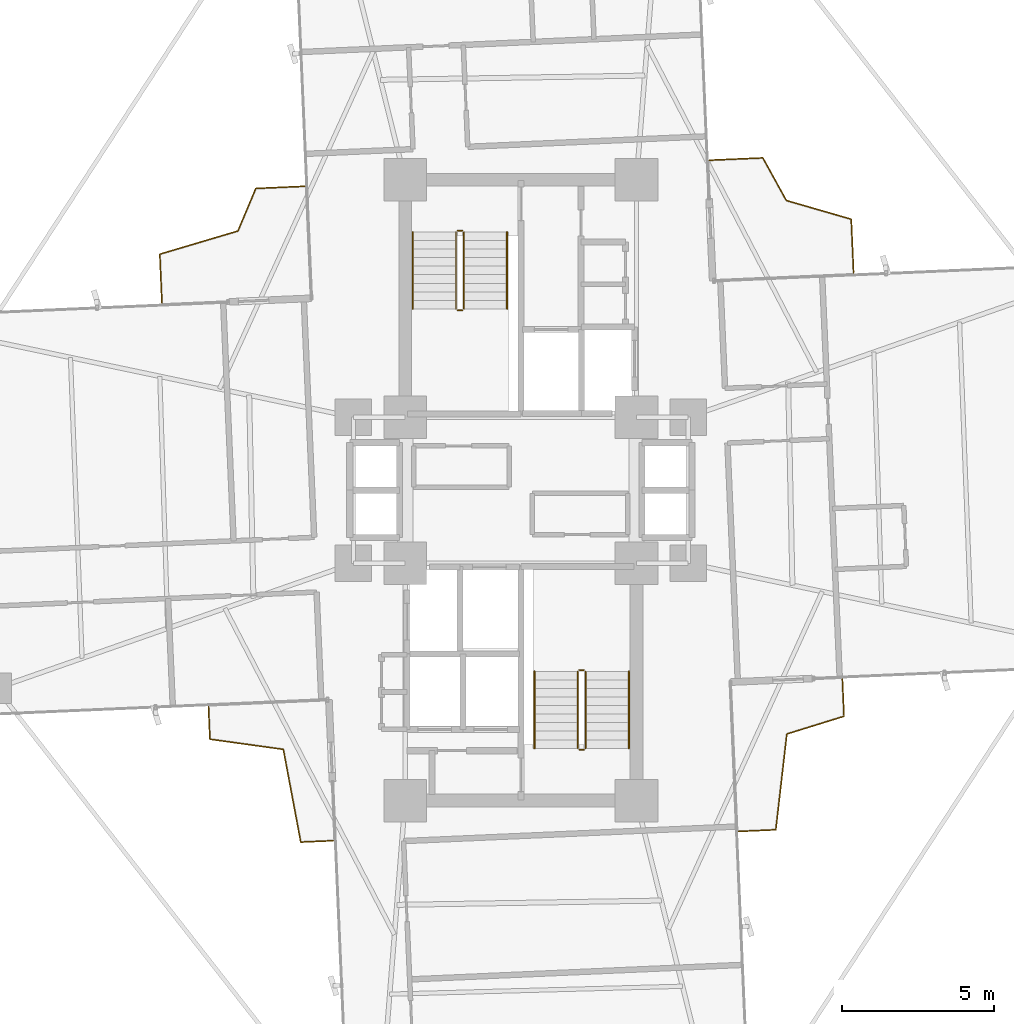
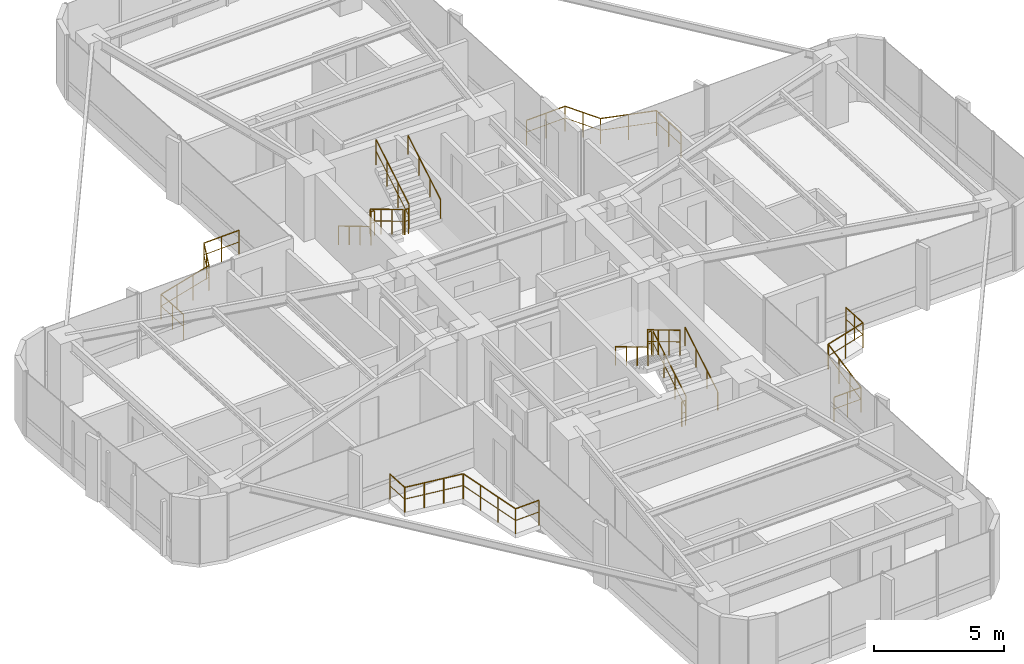
# One storey, part 26 of 26: 16 railings.
"""IFC4 building model written with IfcOpenShell, lengths in metres."""

import ifcopenshell
import ifcopenshell.guid

model = None  # the IFC model being written
_history = None  # IfcOwnerHistory: only IFC2X3 demands one
_inside = {}  # id of a spatial element -> (the spatial element, [elements in it])
_under = {}  # id of a project, library or spatial element -> (it, [spatial elements below it])
_declared = {}  # id of a project -> (the project, [libraries it declares])
_typed = {}  # id of a type object -> (the type object, [elements of that type])
_made_of = {}  # id of a material, layer set ... -> (it, [elements and type objects made of it])


def new_model(schema):
    """Start an empty IFC model of exactly this schema.

    Asked for "IFC4X3", IfcOpenShell would pick the latest addendum, in which some entities
    have other attributes; the version numbers below select the first issue.
    IFC2X3 requires an IfcOwnerHistory on every rooted entity: one is made here for all.
    """
    global model, _history
    if schema == "IFC4X3":
        model = ifcopenshell.file(schema_version=(4, 3, 0, 0))
    else:
        model = ifcopenshell.file(schema=schema)
    _inside.clear()
    _under.clear()
    _declared.clear()
    _typed.clear()
    _made_of.clear()
    _history = None
    if model.schema == "IFC2X3":
        org = make("IfcOrganization", Name="unknown")
        user = make(
            "IfcPersonAndOrganization",
            ThePerson=make("IfcPerson", FamilyName="unknown"),
            TheOrganization=org,
        )
        app = make(
            "IfcApplication",
            ApplicationDeveloper=org,
            Version="unknown",
            ApplicationFullName="unknown",
            ApplicationIdentifier="unknown",
        )
        _history = make(
            "IfcOwnerHistory",
            OwningUser=user,
            OwningApplication=app,
            ChangeAction="ADDED",
            CreationDate=0,
        )
    return model


def make(cls, **values):
    """One entity of the class cls with the attributes given. An attribute that is None is left unset."""
    return model.create_entity(
        cls, **{name: value for name, value in values.items() if value is not None}
    )


def rooted(cls, **values):
    """An entity with a GlobalId (a new one), such as an element, a storey or a relation."""
    return make(cls, GlobalId=ifcopenshell.guid.new(), OwnerHistory=_history, **values)


def si_unit(unit_type, name, prefix=None):
    """IfcSIUnit, for example si_unit("LENGTHUNIT", "METRE", prefix="MILLI")."""
    return make("IfcSIUnit", UnitType=unit_type, Prefix=prefix, Name=name)


def assignment(units):
    """IfcUnitAssignment: the units of a project."""
    return None if units is None else make("IfcUnitAssignment", Units=units)


def point(xyz):
    """IfcCartesianPoint."""
    return None if xyz is None else make("IfcCartesianPoint", Coordinates=xyz)


def direction(xyz):
    """IfcDirection."""
    return None if xyz is None else make("IfcDirection", DirectionRatios=xyz)


def frame(location, z_axis=None, x_axis=None):
    """IfcAxis2Placement3D, a coordinate frame: its origin and axes. An axis left out is left unset."""
    return make(
        "IfcAxis2Placement3D",
        Location=point(location),
        Axis=direction(z_axis),
        RefDirection=direction(x_axis),
    )


def frame_2d(location, x_axis=None):
    """IfcAxis2Placement2D, a coordinate frame in the plane: its origin and x axis."""
    return make(
        "IfcAxis2Placement2D", Location=point(location), RefDirection=direction(x_axis)
    )


def origin():
    """The frame at (0, 0, 0) with its axes left unset."""
    return frame((0.0, 0.0, 0.0))


def origin_2d():
    """The frame at (0, 0) in the plane with its x axis left unset."""
    return frame_2d((0.0, 0.0))


def place(relative_to, where):
    """IfcLocalPlacement: puts the frame where relative to a parent placement (None: the world)."""
    return make(
        "IfcLocalPlacement", PlacementRelTo=relative_to, RelativePlacement=where
    )


def context(
    kind, dimensions, precision=None, world=None, true_north=None, identifier=None
):
    """IfcGeometricRepresentationContext, for example the 3D "Model" context."""
    return make(
        "IfcGeometricRepresentationContext",
        ContextIdentifier=identifier,
        ContextType=kind,
        CoordinateSpaceDimension=dimensions,
        Precision=precision,
        WorldCoordinateSystem=world,
        TrueNorth=true_north,
    )


def subcontext(parent, identifier, kind, view, scale=None):
    """IfcGeometricRepresentationSubContext, for example "Body" below "Model"."""
    return make(
        "IfcGeometricRepresentationSubContext",
        ContextIdentifier=identifier,
        ContextType=kind,
        ParentContext=parent,
        TargetScale=scale,
        TargetView=view,
    )


def project(units=None, contexts=None):
    """IfcProject with its units and contexts."""
    return rooted(
        "IfcProject",
        Name="project",
        RepresentationContexts=contexts,
        UnitsInContext=assignment(units),
    )


def spatial(cls, under=None, at=None, **own):
    """A site, building, storey or space (cls), placed at a placement, below another one or the project."""
    s = rooted(cls, ObjectPlacement=at, **own)
    if under is not None:
        _under.setdefault(under.id(), (under, []))[1].append(s)
    return s


def profile(cls, at=None, kind="AREA", **sizes):
    """A parametric profile (cls). Its sizes go by their IFC names, for example OverallWidth=200.0."""
    return make(cls, ProfileType=kind, Position=at, **sizes)


def circle(**sizes):
    """IfcCircleProfileDef."""
    return profile("IfcCircleProfileDef", **sizes)


def extrude(swept, where, along, depth):
    """IfcExtrudedAreaSolid: the profile swept, set in the frame where, extruded along a direction by depth."""
    return make(
        "IfcExtrudedAreaSolid",
        SweptArea=swept,
        Position=where,
        ExtrudedDirection=direction(along),
        Depth=depth,
    )


def shape(context_of_items, identifier, shape_type, items):
    """IfcShapeRepresentation: the items that make up one representation, for example the "Body"."""
    return make(
        "IfcShapeRepresentation",
        ContextOfItems=context_of_items,
        RepresentationIdentifier=identifier,
        RepresentationType=shape_type,
        Items=items,
    )


def material(Name=None, Category=None):
    """IfcMaterial."""
    return make("IfcMaterial", Name=Name, Category=Category)


def made_of(thing, what):
    """Note that an element or type object is made of a material, layer set ...; save() writes the relation."""
    if what is not None:
        _made_of.setdefault(what.id(), (what, []))[1].append(thing)
    return thing


def type_object(cls, material=None, **own):
    """A type object (cls), such as IfcWallType, which elements share."""
    return made_of(rooted(cls, **own), material)


def element(
    cls,
    number,
    at=None,
    inside=None,
    cuts=None,
    type_object=None,
    material=None,
    context=None,
    identifier="Body",
    shape_type=None,
    held_by="IfcProductDefinitionShape",
    body=None,
    shapes=None,
    **own,
):
    """One element of the class cls, such as IfcWall. Its Tag is "e" and its number.

    at: its placement. inside: the storey or other place that contains it. cuts: it is an
    opening in that element (IfcRelVoidsElement). A single representation is given by context,
    identifier, shape_type and body (its items); several are given by shapes. held_by: the class
    of the entity that holds the representations. save() writes the other relations.
    """
    e = rooted(cls, Tag="e%d" % number, ObjectPlacement=at, **own)
    if body is not None:
        shapes = [shape(context, identifier, shape_type, body)]
    if shapes is not None:
        e.Representation = make(held_by, Representations=shapes)
    if inside is not None:
        _inside.setdefault(inside.id(), (inside, []))[1].append(e)
    if cuts is not None:
        rooted(
            "IfcRelVoidsElement", RelatingBuildingElement=cuts, RelatedOpeningElement=e
        )
    if type_object is not None:
        _typed.setdefault(type_object.id(), (type_object, []))[1].append(e)
    return made_of(e, material)


def aggregate(whole, parts):
    """IfcRelAggregates: a whole, such as a stair, and the parts it consists of."""
    return rooted("IfcRelAggregates", RelatingObject=whole, RelatedObjects=parts)


def save(model, path):
    """Write the relations noted so far, then the file.

    IfcRelAggregates (storeys below a building ...), IfcRelContainedInSpatialStructure (elements
    in a storey), IfcRelDefinesByType, IfcRelAssociatesMaterial and IfcRelDeclares: one each for
    every whole, place, type object, material and project.
    """
    for whole, parts in _under.values():
        aggregate(whole, parts)
    for where, things in _inside.values():
        rooted(
            "IfcRelContainedInSpatialStructure",
            RelatedElements=things,
            RelatingStructure=where,
        )
    for kind, things in _typed.values():
        rooted("IfcRelDefinesByType", RelatedObjects=things, RelatingType=kind)
    for what, things in _made_of.values():
        rooted("IfcRelAssociatesMaterial", RelatedObjects=things, RelatingMaterial=what)
    for by, libraries in _declared.values():
        rooted("IfcRelDeclares", RelatingContext=by, RelatedDefinitions=libraries)
    model.write(path)


model = new_model("IFC4")

# Units and contexts
model_context = context("Model", 3, precision=1e-05, world=origin(), true_north=direction((0.0, 1.0)))
body_context = subcontext(model_context, "Body", "Model", "MODEL_VIEW")
ifc_project = project(units=[si_unit("LENGTHUNIT", "METRE"), si_unit("AREAUNIT", "SQUARE_METRE"), si_unit("VOLUMEUNIT", "CUBIC_METRE"), si_unit("PLANEANGLEUNIT", "RADIAN"), si_unit("MASSUNIT", "GRAM", prefix="KILO")], contexts=[model_context])

# Site, building, storey
site_placement = place(None, origin())
site = spatial("IfcSite", under=ifc_project, at=site_placement, CompositionType="ELEMENT")
building_placement = place(site_placement, origin())
building = spatial("IfcBuilding", under=site, at=building_placement, Name="Sahyath Konkavel Grand Hotel", CompositionType="ELEMENT")
storey_placement = place(building_placement, frame((0.0, 0.0, 134.89990234375)))
storey = spatial("IfcBuildingStorey", under=building, at=storey_placement, Name="L37", CompositionType="ELEMENT", Elevation=134.89990234375)

# Railings
ifc_material_1 = material(Name="Anodised Bronze Aluminium", Category="aluminium")
railing_type_1 = type_object("IfcRailingType", Name="RLG-BALC-1200", PredefinedType="GUARDRAIL", material=ifc_material_1)
railing_1_placement = place(storey_placement, frame((10.935791015625, 7.143798828125, 0.0)))
element("IfcRailing", 1, at=railing_1_placement, inside=storey, type_object=railing_type_1, Name="L37 Winter-Garden Guard NE", PredefinedType="GUARDRAIL", context=body_context, shape_type="SweptSolid", body=[
    extrude(circle(Radius=0.02392578125, at=origin_2d()), frame((0.0, 0.001953125, 1.17578125), z_axis=(-0.043617493533, 0.999048304267, 0.0), x_axis=(-0.999048304267, -0.043617493533, 0.0)), (0.0, 0.0, 1.0), 1.759033203125),
    extrude(circle(Radius=0.01416015625, at=origin_2d()), frame((0.0, 0.001953125, 0.6240234375), z_axis=(-0.043617493533, 0.999048304267, 0.0), x_axis=(-0.999048304267, -0.043617493533, 0.0)), (0.0, 0.0, 1.0), 1.759033203125),
    extrude(circle(Radius=0.02392578125, at=origin_2d()), frame((-0.078857421875, 1.761962890625, 1.17578125), z_axis=(-0.96074023182, 0.277449467404, 0.0), x_axis=(-0.277449467404, -0.96074023182, 0.0)), (0.0, 0.0, 1.0), 2.217041015625),
    extrude(circle(Radius=0.01416015625, at=origin_2d()), frame((-0.078857421875, 1.761962890625, 0.6240234375), z_axis=(-0.96074023182, 0.277449467404, 0.0), x_axis=(-0.277449467404, -0.96074023182, 0.0)), (0.0, 0.0, 1.0), 2.217041015625),
    extrude(circle(Radius=0.02392578125, at=origin_2d()), frame((-2.211669921875, 2.37939453125, 1.17578125), z_axis=(-0.482564073115, 0.875860671191, 0.0), x_axis=(-0.875860671191, -0.482564073115, 0.0)), (0.0, 0.0, 1.0), 1.59326171875),
    extrude(circle(Radius=0.01416015625, at=origin_2d()), frame((-2.211669921875, 2.37939453125, 0.6240234375), z_axis=(-0.482564073115, 0.875860671191, 0.0), x_axis=(-0.875860671191, -0.482564073115, 0.0)), (0.0, 0.0, 1.0), 1.59326171875),
    extrude(circle(Radius=0.02392578125, at=origin_2d()), frame((-2.9833984375, 3.776611328125, 1.17578125), z_axis=(-0.999048304267, -0.043617493533, 0.0), x_axis=(0.043617493533, -0.999048304267, 0.0)), (0.0, 0.0, 1.0), 1.759033203125),
    extrude(circle(Radius=0.01416015625, at=origin_2d()), frame((-2.9833984375, 3.776611328125, 0.6240234375), z_axis=(-0.999048304267, -0.043617493533, 0.0), x_axis=(0.043617493533, -0.999048304267, 0.0)), (0.0, 0.0, 1.0), 1.759033203125),
    extrude(circle(Radius=0.02099609375, at=origin_2d()), origin(), (0.0, 0.0, 1.0), 1.15185546875),
    extrude(circle(Radius=0.02099609375, at=origin_2d()), frame((-0.03857421875, 0.880859375, 0.0)), (0.0, 0.0, 1.0), 1.15185546875),
    extrude(circle(Radius=0.02099609375, at=origin_2d()), frame((-0.076904296875, 1.761474609375, 0.0)), (0.0, 0.0, 1.0), 1.15185546875),
    extrude(circle(Radius=0.02099609375, at=origin_2d()), frame((-1.143798828125, 2.069580078125, 0.0)), (0.0, 0.0, 1.0), 1.15185546875),
    extrude(circle(Radius=0.02099609375, at=origin_2d()), frame((-2.210693359375, 2.377685546875, 0.0)), (0.0, 0.0, 1.0), 1.15185546875),
    extrude(circle(Radius=0.02099609375, at=origin_2d()), frame((-2.59619140625, 3.0771484375, 0.0)), (0.0, 0.0, 1.0), 1.15185546875),
    extrude(circle(Radius=0.02099609375, at=origin_2d()), frame((-2.9814453125, 3.776611328125, 0.0)), (0.0, 0.0, 1.0), 1.15185546875),
    extrude(circle(Radius=0.02099609375, at=origin_2d()), frame((-3.8623046875, 3.73828125, 0.0)), (0.0, 0.0, 1.0), 1.15185546875),
    extrude(circle(Radius=0.02099609375, at=origin_2d()), frame((-4.742919921875, 3.69970703125, 0.0)), (0.0, 0.0, 1.0), 1.15185546875),
])
railing_2_placement = place(storey_placement, frame((-7.102294921875, 9.98681640625, 0.0)))
element("IfcRailing", 2, at=railing_2_placement, inside=storey, type_object=railing_type_1, Name="L37 Winter-Garden Guard NW", PredefinedType="GUARDRAIL", context=body_context, shape_type="SweptSolid", body=[
    extrude(circle(Radius=0.02392578125, at=origin_2d()), frame((-0.001953125, 0.0, 1.17578125), z_axis=(-0.999042058312, -0.043760321337, 0.0), x_axis=(0.043760321337, -0.999042058312, 0.0)), (0.0, 0.0, 1.0), 1.602783203125),
    extrude(circle(Radius=0.01416015625, at=origin_2d()), frame((-0.001953125, 0.0, 0.6240234375), z_axis=(-0.999042058312, -0.043760321337, 0.0), x_axis=(0.043760321337, -0.999042058312, 0.0)), (0.0, 0.0, 1.0), 1.602783203125),
    extrude(circle(Radius=0.02392578125, at=origin_2d()), frame((-1.60595703125, -0.072265625, 1.17578125), z_axis=(-0.387423947002, -0.921901667907, 0.0), x_axis=(0.921901667907, -0.387423947002, 0.0)), (0.0, 0.0, 1.0), 1.513427734375),
    extrude(circle(Radius=0.01416015625, at=origin_2d()), frame((-1.60595703125, -0.072265625, 0.6240234375), z_axis=(-0.387423947002, -0.921901667907, 0.0), x_axis=(0.921901667907, -0.387423947002, 0.0)), (0.0, 0.0, 1.0), 1.513427734375),
    extrude(circle(Radius=0.02392578125, at=origin_2d()), frame((-2.195068359375, -1.4697265625, 1.17578125), z_axis=(-0.958762230796, -0.28420940308, 0.0), x_axis=(0.28420940308, -0.958762230796, 0.0)), (0.0, 0.0, 1.0), 2.673583984375),
    extrude(circle(Radius=0.01416015625, at=origin_2d()), frame((-2.195068359375, -1.4697265625, 0.6240234375), z_axis=(-0.958762230796, -0.28420940308, 0.0), x_axis=(0.28420940308, -0.958762230796, 0.0)), (0.0, 0.0, 1.0), 2.673583984375),
    extrude(circle(Radius=0.02392578125, at=origin_2d()), frame((-4.76025390625, -2.232177734375, 1.17578125), z_axis=(0.043615286125, -0.999048400637, 0.0), x_axis=(0.999048400637, 0.043615286125, 0.0)), (0.0, 0.0, 1.0), 1.6025390625),
    extrude(circle(Radius=0.01416015625, at=origin_2d()), frame((-4.76025390625, -2.232177734375, 0.6240234375), z_axis=(0.043615286125, -0.999048400637, 0.0), x_axis=(0.999048400637, 0.043615286125, 0.0)), (0.0, 0.0, 1.0), 1.6025390625),
    extrude(circle(Radius=0.02099609375, at=origin_2d()), origin(), (0.0, 0.0, 1.0), 1.15185546875),
    extrude(circle(Radius=0.02099609375, at=origin_2d()), frame((-0.802734375, -0.03515625, 0.0)), (0.0, 0.0, 1.0), 1.15185546875),
    extrude(circle(Radius=0.02099609375, at=origin_2d()), frame((-1.605224609375, -0.0703125, 0.0)), (0.0, 0.0, 1.0), 1.15185546875),
    extrude(circle(Radius=0.02099609375, at=origin_2d()), frame((-1.899169921875, -0.769775390625, 0.0)), (0.0, 0.0, 1.0), 1.15185546875),
    extrude(circle(Radius=0.02099609375, at=origin_2d()), frame((-2.193115234375, -1.46923828125, 0.0)), (0.0, 0.0, 1.0), 1.15185546875),
    extrude(circle(Radius=0.02099609375, at=origin_2d()), frame((-3.048828125, -1.722900390625, 0.0)), (0.0, 0.0, 1.0), 1.15185546875),
    extrude(circle(Radius=0.02099609375, at=origin_2d()), frame((-3.904541015625, -1.9765625, 0.0)), (0.0, 0.0, 1.0), 1.15185546875),
    extrude(circle(Radius=0.02099609375, at=origin_2d()), frame((-4.76025390625, -2.230224609375, 0.0)), (0.0, 0.0, 1.0), 1.15185546875),
    extrude(circle(Radius=0.02099609375, at=origin_2d()), frame((-4.72509765625, -3.03271484375, 0.0)), (0.0, 0.0, 1.0), 1.15185546875),
    extrude(circle(Radius=0.02099609375, at=origin_2d()), frame((-4.690185546875, -3.835205078125, 0.0)), (0.0, 0.0, 1.0), 1.15185546875),
])
railing_3_placement = place(storey_placement, frame((-10.262451171875, -7.114501953125, 0.0)))
element("IfcRailing", 3, at=railing_3_placement, inside=storey, type_object=railing_type_1, Name="L37 Winter-Garden Guard SW", PredefinedType="GUARDRAIL", context=body_context, shape_type="SweptSolid", body=[
    extrude(circle(Radius=0.02392578125, at=origin_2d()), frame((0.0, -0.001953125, 1.17578125), z_axis=(0.043625550736, -0.999047952464, 0.0), x_axis=(0.999047952464, 0.043625550736, 0.0)), (0.0, 0.0, 1.0), 1.06494140625),
    extrude(circle(Radius=0.01416015625, at=origin_2d()), frame((0.0, -0.001953125, 0.6240234375), z_axis=(0.043625550736, -0.999047952464, 0.0), x_axis=(0.999047952464, 0.043625550736, 0.0)), (0.0, 0.0, 1.0), 1.06494140625),
    extrude(circle(Radius=0.02392578125, at=origin_2d()), frame((0.048583984375, -1.068115234375, 1.17578125), z_axis=(0.9905343524, -0.13726506007, 0.0), x_axis=(0.13726506007, 0.9905343524, 0.0)), (0.0, 0.0, 1.0), 2.430908203125),
    extrude(circle(Radius=0.01416015625, at=origin_2d()), frame((0.048583984375, -1.068115234375, 0.6240234375), z_axis=(0.9905343524, -0.13726506007, 0.0), x_axis=(0.13726506007, 0.9905343524, 0.0)), (0.0, 0.0, 1.0), 2.430908203125),
    extrude(circle(Radius=0.02392578125, at=origin_2d()), frame((2.458984375, -1.404052734375, 1.17578125), z_axis=(0.184668898915, -0.982800792518, 0.0), x_axis=(0.982800792518, 0.184668898915, 0.0)), (0.0, 0.0, 1.0), 3.09619140625),
    extrude(circle(Radius=0.01416015625, at=origin_2d()), frame((2.458984375, -1.404052734375, 0.6240234375), z_axis=(0.184668898915, -0.982800792518, 0.0), x_axis=(0.982800792518, 0.184668898915, 0.0)), (0.0, 0.0, 1.0), 3.09619140625),
    extrude(circle(Radius=0.02392578125, at=origin_2d()), frame((3.032958984375, -4.448974609375, 1.17578125), z_axis=(0.999047952464, 0.043625550736, 0.0), x_axis=(-0.043625550736, 0.999047952464, 0.0)), (0.0, 0.0, 1.0), 1.06494140625),
    extrude(circle(Radius=0.01416015625, at=origin_2d()), frame((3.032958984375, -4.448974609375, 0.6240234375), z_axis=(0.999047952464, 0.043625550736, 0.0), x_axis=(-0.043625550736, 0.999047952464, 0.0)), (0.0, 0.0, 1.0), 1.06494140625),
    extrude(circle(Radius=0.02099609375, at=origin_2d()), origin(), (0.0, 0.0, 1.0), 1.15185546875),
    extrude(circle(Radius=0.02099609375, at=origin_2d()), frame((0.046630859375, -1.06787109375, 0.0)), (0.0, 0.0, 1.0), 1.15185546875),
    extrude(circle(Radius=0.02099609375, at=origin_2d()), frame((0.8505859375, -1.17919921875, 0.0)), (0.0, 0.0, 1.0), 1.15185546875),
    extrude(circle(Radius=0.02099609375, at=origin_2d()), frame((1.654541015625, -1.290771484375, 0.0)), (0.0, 0.0, 1.0), 1.15185546875),
    extrude(circle(Radius=0.02099609375, at=origin_2d()), frame((2.45849609375, -1.402099609375, 0.0)), (0.0, 0.0, 1.0), 1.15185546875),
    extrude(circle(Radius=0.02099609375, at=origin_2d()), frame((2.6494140625, -2.417724609375, 0.0)), (0.0, 0.0, 1.0), 1.15185546875),
    extrude(circle(Radius=0.02099609375, at=origin_2d()), frame((2.840087890625, -3.433349609375, 0.0)), (0.0, 0.0, 1.0), 1.15185546875),
    extrude(circle(Radius=0.02099609375, at=origin_2d()), frame((3.031005859375, -4.448974609375, 0.0)), (0.0, 0.0, 1.0), 1.15185546875),
    extrude(circle(Radius=0.02099609375, at=origin_2d()), frame((4.098876953125, -4.40234375, 0.0)), (0.0, 0.0, 1.0), 1.15185546875),
])
railing_4_placement = place(storey_placement, frame((7.156005859375, -11.211669921875, 0.0)))
element("IfcRailing", 4, at=railing_4_placement, inside=storey, type_object=railing_type_1, Name="L37 Winter-Garden Guard SE", PredefinedType="GUARDRAIL", context=body_context, shape_type="SweptSolid", body=[
    extrude(circle(Radius=0.02392578125, at=origin_2d()), frame((0.001953125, 0.0, 1.17578125), z_axis=(0.999047112283, 0.043644787072, 0.0), x_axis=(-0.043644787072, 0.999047112283, 0.0)), (0.0, 0.0, 1.0), 1.220947265625),
    extrude(circle(Radius=0.01416015625, at=origin_2d()), frame((0.001953125, 0.0, 0.6240234375), z_axis=(0.999047112283, 0.043644787072, 0.0), x_axis=(-0.043644787072, 0.999047112283, 0.0)), (0.0, 0.0, 1.0), 1.220947265625),
    extrude(circle(Radius=0.02392578125, at=origin_2d()), frame((1.22412109375, 0.055419921875, 1.17578125), z_axis=(0.114600706163, 0.993411635802, 0.0), x_axis=(-0.993411635802, 0.114600706163, 0.0)), (0.0, 0.0, 1.0), 3.163818359375),
    extrude(circle(Radius=0.01416015625, at=origin_2d()), frame((1.22412109375, 0.055419921875, 0.6240234375), z_axis=(0.114600706163, 0.993411635802, 0.0), x_axis=(-0.993411635802, 0.114600706163, 0.0)), (0.0, 0.0, 1.0), 3.163818359375),
    extrude(circle(Radius=0.02392578125, at=origin_2d()), frame((1.5888671875, 3.200927734375, 1.17578125), z_axis=(0.955151356495, 0.296118027459, 0.0), x_axis=(-0.296118027459, 0.955151356495, 0.0)), (0.0, 0.0, 1.0), 1.96240234375),
    extrude(circle(Radius=0.01416015625, at=origin_2d()), frame((1.5888671875, 3.200927734375, 0.6240234375), z_axis=(0.955151356495, 0.296118027459, 0.0), x_axis=(-0.296118027459, 0.955151356495, 0.0)), (0.0, 0.0, 1.0), 1.96240234375),
    extrude(circle(Radius=0.02392578125, at=origin_2d()), frame((3.465087890625, 3.78466796875, 1.17578125), z_axis=(-0.043636099063, 0.999047491793, 0.0), x_axis=(-0.999047491793, -0.043636099063, 0.0)), (0.0, 0.0, 1.0), 1.22119140625),
    extrude(circle(Radius=0.01416015625, at=origin_2d()), frame((3.465087890625, 3.78466796875, 0.6240234375), z_axis=(-0.043636099063, 0.999047491793, 0.0), x_axis=(-0.999047491793, -0.043636099063, 0.0)), (0.0, 0.0, 1.0), 1.22119140625),
    extrude(circle(Radius=0.02099609375, at=origin_2d()), origin(), (0.0, 0.0, 1.0), 1.15185546875),
    extrude(circle(Radius=0.02099609375, at=origin_2d()), frame((0.61181640625, 0.02685546875, 0.0)), (0.0, 0.0, 1.0), 1.15185546875),
    extrude(circle(Radius=0.02099609375, at=origin_2d()), frame((1.223876953125, 0.053466796875, 0.0)), (0.0, 0.0, 1.0), 1.15185546875),
    extrude(circle(Radius=0.02099609375, at=origin_2d()), frame((1.344970703125, 1.1025390625, 0.0)), (0.0, 0.0, 1.0), 1.15185546875),
    extrude(circle(Radius=0.02099609375, at=origin_2d()), frame((1.4658203125, 2.1513671875, 0.0)), (0.0, 0.0, 1.0), 1.15185546875),
    extrude(circle(Radius=0.02099609375, at=origin_2d()), frame((1.5869140625, 3.200439453125, 0.0)), (0.0, 0.0, 1.0), 1.15185546875),
    extrude(circle(Radius=0.02099609375, at=origin_2d()), frame((2.52587890625, 3.49169921875, 0.0)), (0.0, 0.0, 1.0), 1.15185546875),
    extrude(circle(Radius=0.02099609375, at=origin_2d()), frame((3.465087890625, 3.78271484375, 0.0)), (0.0, 0.0, 1.0), 1.15185546875),
    extrude(circle(Radius=0.02099609375, at=origin_2d()), frame((3.4384765625, 4.394775390625, 0.0)), (0.0, 0.0, 1.0), 1.15185546875),
    extrude(circle(Radius=0.02099609375, at=origin_2d()), frame((3.41162109375, 5.0068359375, 0.0)), (0.0, 0.0, 1.0), 1.15185546875),
])
ifc_material_2 = material(Name="Steel E350", Category="steel")
railing_type_2 = type_object("IfcRailingType", Name="RLG-STAIR-GRD", PredefinedType="GUARDRAIL", material=ifc_material_2)
railing_5_placement = place(storey_placement, frame((-2.1298828125, 8.47998046875, 0.16748046875)))
element("IfcRailing", 5, at=railing_5_placement, inside=storey, type_object=railing_type_2, Name="L37 ST-1 stair guard 1", PredefinedType="GUARDRAIL", context=body_context, shape_type="SweptSolid", body=[
    extrude(circle(Radius=0.02392578125, at=origin_2d()), frame((0.0, -0.001708984375, 1.177001953125), z_axis=(0.0, -0.858159760407, 0.513382728203), x_axis=(1.0, 0.0, 0.0)), (0.0, 0.0, 1.0), 2.9326171875),
    extrude(circle(Radius=0.01416015625, at=origin_2d()), frame((0.0, -0.001708984375, 0.625), z_axis=(0.0, -0.858159760407, 0.513382728203), x_axis=(1.0, 0.0, 0.0)), (0.0, 0.0, 1.0), 2.9326171875),
    extrude(circle(Radius=0.02099609375, at=origin_2d()), origin(), (0.0, 0.0, 1.0), 1.15185546875),
    extrude(circle(Radius=0.02099609375, at=origin_2d()), frame((0.0, -0.840087890625, 0.50244140625)), (0.0, 0.0, 1.0), 1.15185546875),
    extrude(circle(Radius=0.02099609375, at=origin_2d()), frame((0.0, -1.679931640625, 1.005126953125)), (0.0, 0.0, 1.0), 1.15185546875),
    extrude(circle(Radius=0.02099609375, at=origin_2d()), frame((0.0, -2.52001953125, 1.507568359375)), (0.0, 0.0, 1.0), 1.15185546875),
])
railing_6_placement = place(storey_placement, frame((-2.080078125, 5.909912109375, 1.675048828125)))
element("IfcRailing", 6, at=railing_6_placement, inside=storey, type_object=railing_type_2, Name="L37 ST-1 stair guard 2", PredefinedType="GUARDRAIL", context=body_context, shape_type="SweptSolid", body=[
    extrude(circle(Radius=0.02392578125, at=origin_2d()), frame((0.001953125, 0.0, 1.17578125), z_axis=(1.0, 0.0, 0.0), x_axis=(0.0, 1.0, 0.0)), (0.0, 0.0, 1.0), 0.15625),
    extrude(circle(Radius=0.01416015625, at=origin_2d()), frame((0.001953125, 0.0, 0.6240234375), z_axis=(1.0, 0.0, 0.0), x_axis=(0.0, 1.0, 0.0)), (0.0, 0.0, 1.0), 0.15625),
    extrude(circle(Radius=0.02099609375, at=origin_2d()), origin(), (0.0, 0.0, 1.0), 1.15185546875),
    extrude(circle(Radius=0.02099609375, at=origin_2d()), frame((0.16015625, 0.0, 0.0)), (0.0, 0.0, 1.0), 1.15185546875),
])
railing_7_placement = place(storey_placement, frame((-1.8701171875, 5.9599609375, 1.842529296875)))
element("IfcRailing", 7, at=railing_7_placement, inside=storey, type_object=railing_type_2, Name="L37 ST-1 stair guard 3", PredefinedType="GUARDRAIL", context=body_context, shape_type="SweptSolid", body=[
    extrude(circle(Radius=0.02392578125, at=origin_2d()), frame((0.0, 0.001708984375, 1.177001953125), z_axis=(0.0, 0.858159760407, 0.513382728203), x_axis=(-1.0, 0.0, 0.0)), (0.0, 0.0, 1.0), 2.9326171875),
    extrude(circle(Radius=0.01416015625, at=origin_2d()), frame((0.0, 0.001708984375, 0.625), z_axis=(0.0, 0.858159760407, 0.513382728203), x_axis=(-1.0, 0.0, 0.0)), (0.0, 0.0, 1.0), 2.9326171875),
    extrude(circle(Radius=0.02099609375, at=origin_2d()), origin(), (0.0, 0.0, 1.0), 1.15185546875),
    extrude(circle(Radius=0.02099609375, at=origin_2d()), frame((0.0, 0.840087890625, 0.50244140625)), (0.0, 0.0, 1.0), 1.15185546875),
    extrude(circle(Radius=0.02099609375, at=origin_2d()), frame((0.0, 1.679931640625, 1.005126953125)), (0.0, 0.0, 1.0), 1.15185546875),
    extrude(circle(Radius=0.02099609375, at=origin_2d()), frame((0.0, 2.52001953125, 1.507568359375)), (0.0, 0.0, 1.0), 1.15185546875),
])
railing_8_placement = place(storey_placement, frame((-2.080078125, 8.530029296875, 0.0)))
element("IfcRailing", 8, at=railing_8_placement, inside=storey, type_object=railing_type_2, Name="L37 ST-1 stair guard 4", PredefinedType="GUARDRAIL", context=body_context, shape_type="SweptSolid", body=[
    extrude(circle(Radius=0.02392578125, at=origin_2d()), frame((0.001953125, 0.0, 1.17578125), z_axis=(1.0, 0.0, 0.0), x_axis=(0.0, 1.0, 0.0)), (0.0, 0.0, 1.0), 0.15625),
    extrude(circle(Radius=0.01416015625, at=origin_2d()), frame((0.001953125, 0.0, 0.6240234375), z_axis=(1.0, 0.0, 0.0), x_axis=(0.0, 1.0, 0.0)), (0.0, 0.0, 1.0), 0.15625),
    extrude(circle(Radius=0.02099609375, at=origin_2d()), origin(), (0.0, 0.0, 1.0), 1.15185546875),
    extrude(circle(Radius=0.02099609375, at=origin_2d()), frame((0.16015625, 0.0, 0.0)), (0.0, 0.0, 1.0), 1.15185546875),
])
railing_9_placement = place(storey_placement, frame((2.1298828125, -8.47998046875, 0.16748046875)))
element("IfcRailing", 9, at=railing_9_placement, inside=storey, type_object=railing_type_2, Name="L37 ST-2 stair guard 1", PredefinedType="GUARDRAIL", context=body_context, shape_type="SweptSolid", body=[
    extrude(circle(Radius=0.02392578125, at=origin_2d()), frame((0.0, 0.001708984375, 1.177001953125), z_axis=(0.0, 0.858159760407, 0.513382728203), x_axis=(-1.0, 0.0, 0.0)), (0.0, 0.0, 1.0), 2.9326171875),
    extrude(circle(Radius=0.01416015625, at=origin_2d()), frame((0.0, 0.001708984375, 0.625), z_axis=(0.0, 0.858159760407, 0.513382728203), x_axis=(-1.0, 0.0, 0.0)), (0.0, 0.0, 1.0), 2.9326171875),
    extrude(circle(Radius=0.02099609375, at=origin_2d()), origin(), (0.0, 0.0, 1.0), 1.15185546875),
    extrude(circle(Radius=0.02099609375, at=origin_2d()), frame((0.0, 0.840087890625, 0.50244140625)), (0.0, 0.0, 1.0), 1.15185546875),
    extrude(circle(Radius=0.02099609375, at=origin_2d()), frame((0.0, 1.679931640625, 1.005126953125)), (0.0, 0.0, 1.0), 1.15185546875),
    extrude(circle(Radius=0.02099609375, at=origin_2d()), frame((0.0, 2.52001953125, 1.507568359375)), (0.0, 0.0, 1.0), 1.15185546875),
])
railing_10_placement = place(storey_placement, frame((2.080078125, -5.909912109375, 1.675048828125)))
element("IfcRailing", 10, at=railing_10_placement, inside=storey, type_object=railing_type_2, Name="L37 ST-2 stair guard 2", PredefinedType="GUARDRAIL", context=body_context, shape_type="SweptSolid", body=[
    extrude(circle(Radius=0.02392578125, at=origin_2d()), frame((-0.001953125, 0.0, 1.17578125), z_axis=(-1.0, 0.0, 0.0), x_axis=(0.0, -1.0, 0.0)), (0.0, 0.0, 1.0), 0.15625),
    extrude(circle(Radius=0.01416015625, at=origin_2d()), frame((-0.001953125, 0.0, 0.6240234375), z_axis=(-1.0, 0.0, 0.0), x_axis=(0.0, -1.0, 0.0)), (0.0, 0.0, 1.0), 0.15625),
    extrude(circle(Radius=0.02099609375, at=origin_2d()), origin(), (0.0, 0.0, 1.0), 1.15185546875),
    extrude(circle(Radius=0.02099609375, at=origin_2d()), frame((-0.16015625, 0.0, 0.0)), (0.0, 0.0, 1.0), 1.15185546875),
])
railing_11_placement = place(storey_placement, frame((1.8701171875, -5.9599609375, 1.842529296875)))
element("IfcRailing", 11, at=railing_11_placement, inside=storey, type_object=railing_type_2, Name="L37 ST-2 stair guard 3", PredefinedType="GUARDRAIL", context=body_context, shape_type="SweptSolid", body=[
    extrude(circle(Radius=0.02392578125, at=origin_2d()), frame((0.0, -0.001708984375, 1.177001953125), z_axis=(0.0, -0.858159760407, 0.513382728203), x_axis=(1.0, 0.0, 0.0)), (0.0, 0.0, 1.0), 2.9326171875),
    extrude(circle(Radius=0.01416015625, at=origin_2d()), frame((0.0, -0.001708984375, 0.625), z_axis=(0.0, -0.858159760407, 0.513382728203), x_axis=(1.0, 0.0, 0.0)), (0.0, 0.0, 1.0), 2.9326171875),
    extrude(circle(Radius=0.02099609375, at=origin_2d()), origin(), (0.0, 0.0, 1.0), 1.15185546875),
    extrude(circle(Radius=0.02099609375, at=origin_2d()), frame((0.0, -0.840087890625, 0.50244140625)), (0.0, 0.0, 1.0), 1.15185546875),
    extrude(circle(Radius=0.02099609375, at=origin_2d()), frame((0.0, -1.679931640625, 1.005126953125)), (0.0, 0.0, 1.0), 1.15185546875),
    extrude(circle(Radius=0.02099609375, at=origin_2d()), frame((0.0, -2.52001953125, 1.507568359375)), (0.0, 0.0, 1.0), 1.15185546875),
])
railing_12_placement = place(storey_placement, frame((2.080078125, -8.530029296875, 0.0)))
element("IfcRailing", 12, at=railing_12_placement, inside=storey, type_object=railing_type_2, Name="L37 ST-2 stair guard 4", PredefinedType="GUARDRAIL", context=body_context, shape_type="SweptSolid", body=[
    extrude(circle(Radius=0.02392578125, at=origin_2d()), frame((-0.001953125, 0.0, 1.17578125), z_axis=(-1.0, 0.0, 0.0), x_axis=(0.0, -1.0, 0.0)), (0.0, 0.0, 1.0), 0.15625),
    extrude(circle(Radius=0.01416015625, at=origin_2d()), frame((-0.001953125, 0.0, 0.6240234375), z_axis=(-1.0, 0.0, 0.0), x_axis=(0.0, -1.0, 0.0)), (0.0, 0.0, 1.0), 0.15625),
    extrude(circle(Radius=0.02099609375, at=origin_2d()), origin(), (0.0, 0.0, 1.0), 1.15185546875),
    extrude(circle(Radius=0.02099609375, at=origin_2d()), frame((-0.16015625, 0.0, 0.0)), (0.0, 0.0, 1.0), 1.15185546875),
])
railing_type_3 = type_object("IfcRailingType", Name="RLG-STAIR-HND", PredefinedType="HANDRAIL", material=ifc_material_1)
railing_13_placement = place(storey_placement, frame((-3.550048828125, 8.47998046875, 0.16748046875)))
element("IfcRailing", 13, at=railing_13_placement, inside=storey, type_object=railing_type_3, Name="L37 ST-1 stair handrail 1", PredefinedType="HANDRAIL", context=body_context, shape_type="SweptSolid", body=[
    extrude(circle(Radius=0.02392578125, at=origin_2d()), frame((0.0, -0.001708984375, 0.876953125), z_axis=(0.0, -0.858159760407, 0.513382728203), x_axis=(1.0, 0.0, 0.0)), (0.0, 0.0, 1.0), 2.9326171875),
    extrude(circle(Radius=0.02099609375, at=origin_2d()), origin(), (0.0, 0.0, 1.0), 0.851806640625),
    extrude(circle(Radius=0.02099609375, at=origin_2d()), frame((0.0, -0.840087890625, 0.50244140625)), (0.0, 0.0, 1.0), 0.851806640625),
    extrude(circle(Radius=0.02099609375, at=origin_2d()), frame((0.0, -1.679931640625, 1.005126953125)), (0.0, 0.0, 1.0), 0.851806640625),
    extrude(circle(Radius=0.02099609375, at=origin_2d()), frame((0.0, -2.52001953125, 1.507568359375)), (0.0, 0.0, 1.0), 0.851806640625),
])
for number, where, name in (
    (14, (-0.449951171875, 5.9599609375, 1.842529296875), "L37 ST-1 stair handrail 2"),
    (15, (3.550048828125, -8.47998046875, 0.16748046875), "L37 ST-2 stair handrail 1"),
):
    element("IfcRailing", number, at=place(storey_placement, frame(where)), inside=storey, type_object=railing_type_3, Name=name, PredefinedType="HANDRAIL", context=body_context, shape_type="SweptSolid", body=[
        extrude(circle(Radius=0.02392578125, at=origin_2d()), frame((0.0, 0.001708984375, 0.876953125), z_axis=(0.0, 0.858159760407, 0.513382728203), x_axis=(-1.0, 0.0, 0.0)), (0.0, 0.0, 1.0), 2.9326171875),
        extrude(circle(Radius=0.02099609375, at=origin_2d()), origin(), (0.0, 0.0, 1.0), 0.851806640625),
        extrude(circle(Radius=0.02099609375, at=origin_2d()), frame((0.0, 0.840087890625, 0.50244140625)), (0.0, 0.0, 1.0), 0.851806640625),
        extrude(circle(Radius=0.02099609375, at=origin_2d()), frame((0.0, 1.679931640625, 1.005126953125)), (0.0, 0.0, 1.0), 0.851806640625),
        extrude(circle(Radius=0.02099609375, at=origin_2d()), frame((0.0, 2.52001953125, 1.507568359375)), (0.0, 0.0, 1.0), 0.851806640625),
    ])
railing_14_placement = place(storey_placement, frame((0.449951171875, -5.9599609375, 1.842529296875)))
element("IfcRailing", 16, at=railing_14_placement, inside=storey, type_object=railing_type_3, Name="L37 ST-2 stair handrail 2", PredefinedType="HANDRAIL", context=body_context, shape_type="SweptSolid", body=[
    extrude(circle(Radius=0.02392578125, at=origin_2d()), frame((0.0, -0.001708984375, 0.876953125), z_axis=(0.0, -0.858159760407, 0.513382728203), x_axis=(1.0, 0.0, 0.0)), (0.0, 0.0, 1.0), 2.9326171875),
    extrude(circle(Radius=0.02099609375, at=origin_2d()), origin(), (0.0, 0.0, 1.0), 0.851806640625),
    extrude(circle(Radius=0.02099609375, at=origin_2d()), frame((0.0, -0.840087890625, 0.50244140625)), (0.0, 0.0, 1.0), 0.851806640625),
    extrude(circle(Radius=0.02099609375, at=origin_2d()), frame((0.0, -1.679931640625, 1.005126953125)), (0.0, 0.0, 1.0), 0.851806640625),
    extrude(circle(Radius=0.02099609375, at=origin_2d()), frame((0.0, -2.52001953125, 1.507568359375)), (0.0, 0.0, 1.0), 0.851806640625),
])

save(model, "model.ifc")
